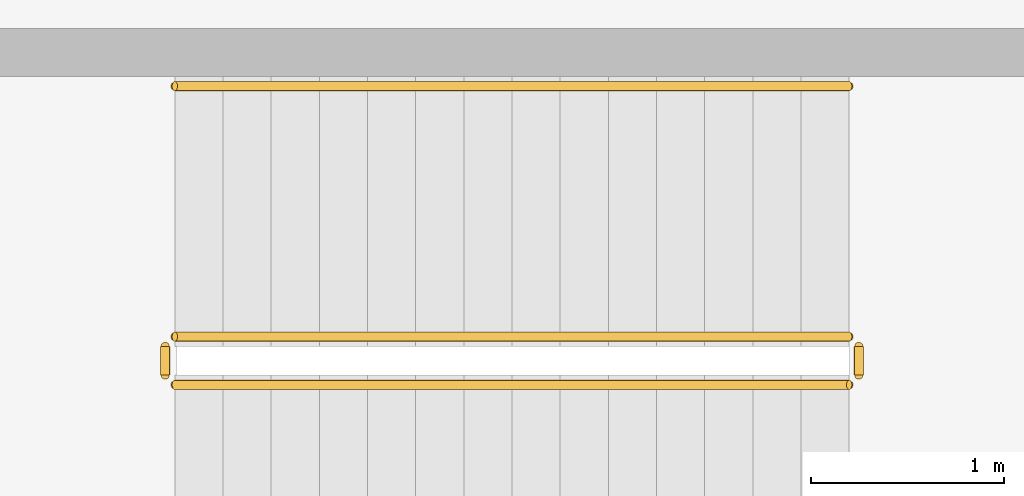
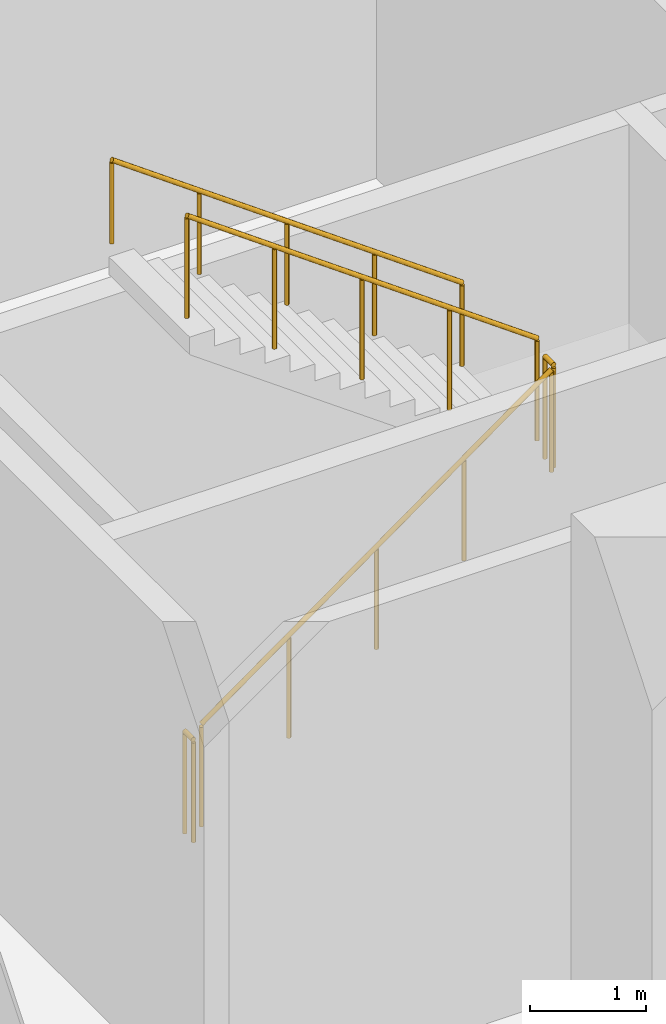
# One storey, part 22 of 22: 5 railings.
"""IFC4 building model written with IfcOpenShell, lengths in metres."""

import ifcopenshell
import ifcopenshell.guid

model = None  # the IFC model being written
_history = None  # IfcOwnerHistory: only IFC2X3 demands one
_inside = {}  # id of a spatial element -> (the spatial element, [elements in it])
_under = {}  # id of a project, library or spatial element -> (it, [spatial elements below it])
_declared = {}  # id of a project -> (the project, [libraries it declares])
_typed = {}  # id of a type object -> (the type object, [elements of that type])
_made_of = {}  # id of a material, layer set ... -> (it, [elements and type objects made of it])


def new_model(schema):
    """Start an empty IFC model of exactly this schema.

    Asked for "IFC4X3", IfcOpenShell would pick the latest addendum, in which some entities
    have other attributes; the version numbers below select the first issue.
    IFC2X3 requires an IfcOwnerHistory on every rooted entity: one is made here for all.
    """
    global model, _history
    if schema == "IFC4X3":
        model = ifcopenshell.file(schema_version=(4, 3, 0, 0))
    else:
        model = ifcopenshell.file(schema=schema)
    _inside.clear()
    _under.clear()
    _declared.clear()
    _typed.clear()
    _made_of.clear()
    _history = None
    if model.schema == "IFC2X3":
        org = make("IfcOrganization", Name="unknown")
        user = make(
            "IfcPersonAndOrganization",
            ThePerson=make("IfcPerson", FamilyName="unknown"),
            TheOrganization=org,
        )
        app = make(
            "IfcApplication",
            ApplicationDeveloper=org,
            Version="unknown",
            ApplicationFullName="unknown",
            ApplicationIdentifier="unknown",
        )
        _history = make(
            "IfcOwnerHistory",
            OwningUser=user,
            OwningApplication=app,
            ChangeAction="ADDED",
            CreationDate=0,
        )
    return model


def make(cls, **values):
    """One entity of the class cls with the attributes given. An attribute that is None is left unset."""
    return model.create_entity(
        cls, **{name: value for name, value in values.items() if value is not None}
    )


def rooted(cls, **values):
    """An entity with a GlobalId (a new one), such as an element, a storey or a relation."""
    return make(cls, GlobalId=ifcopenshell.guid.new(), OwnerHistory=_history, **values)


def si_unit(unit_type, name, prefix=None):
    """IfcSIUnit, for example si_unit("LENGTHUNIT", "METRE", prefix="MILLI")."""
    return make("IfcSIUnit", UnitType=unit_type, Prefix=prefix, Name=name)


def assignment(units):
    """IfcUnitAssignment: the units of a project."""
    return None if units is None else make("IfcUnitAssignment", Units=units)


def point(xyz):
    """IfcCartesianPoint."""
    return None if xyz is None else make("IfcCartesianPoint", Coordinates=xyz)


def direction(xyz):
    """IfcDirection."""
    return None if xyz is None else make("IfcDirection", DirectionRatios=xyz)


def frame(location, z_axis=None, x_axis=None):
    """IfcAxis2Placement3D, a coordinate frame: its origin and axes. An axis left out is left unset."""
    return make(
        "IfcAxis2Placement3D",
        Location=point(location),
        Axis=direction(z_axis),
        RefDirection=direction(x_axis),
    )


def frame_2d(location, x_axis=None):
    """IfcAxis2Placement2D, a coordinate frame in the plane: its origin and x axis."""
    return make(
        "IfcAxis2Placement2D", Location=point(location), RefDirection=direction(x_axis)
    )


def origin():
    """The frame at (0, 0, 0) with its axes left unset."""
    return frame((0.0, 0.0, 0.0))


def origin_2d():
    """The frame at (0, 0) in the plane with its x axis left unset."""
    return frame_2d((0.0, 0.0))


def place(relative_to, where):
    """IfcLocalPlacement: puts the frame where relative to a parent placement (None: the world)."""
    return make(
        "IfcLocalPlacement", PlacementRelTo=relative_to, RelativePlacement=where
    )


def context(
    kind, dimensions, precision=None, world=None, true_north=None, identifier=None
):
    """IfcGeometricRepresentationContext, for example the 3D "Model" context."""
    return make(
        "IfcGeometricRepresentationContext",
        ContextIdentifier=identifier,
        ContextType=kind,
        CoordinateSpaceDimension=dimensions,
        Precision=precision,
        WorldCoordinateSystem=world,
        TrueNorth=true_north,
    )


def subcontext(parent, identifier, kind, view, scale=None):
    """IfcGeometricRepresentationSubContext, for example "Body" below "Model"."""
    return make(
        "IfcGeometricRepresentationSubContext",
        ContextIdentifier=identifier,
        ContextType=kind,
        ParentContext=parent,
        TargetScale=scale,
        TargetView=view,
    )


def project(units=None, contexts=None):
    """IfcProject with its units and contexts."""
    return rooted(
        "IfcProject",
        Name="project",
        RepresentationContexts=contexts,
        UnitsInContext=assignment(units),
    )


def spatial(cls, under=None, at=None, **own):
    """A site, building, storey or space (cls), placed at a placement, below another one or the project."""
    s = rooted(cls, ObjectPlacement=at, **own)
    if under is not None:
        _under.setdefault(under.id(), (under, []))[1].append(s)
    return s


def profile(cls, at=None, kind="AREA", **sizes):
    """A parametric profile (cls). Its sizes go by their IFC names, for example OverallWidth=200.0."""
    return make(cls, ProfileType=kind, Position=at, **sizes)


def circle(**sizes):
    """IfcCircleProfileDef."""
    return profile("IfcCircleProfileDef", **sizes)


def extrude(swept, where, along, depth):
    """IfcExtrudedAreaSolid: the profile swept, set in the frame where, extruded along a direction by depth."""
    return make(
        "IfcExtrudedAreaSolid",
        SweptArea=swept,
        Position=where,
        ExtrudedDirection=direction(along),
        Depth=depth,
    )


def shape(context_of_items, identifier, shape_type, items):
    """IfcShapeRepresentation: the items that make up one representation, for example the "Body"."""
    return make(
        "IfcShapeRepresentation",
        ContextOfItems=context_of_items,
        RepresentationIdentifier=identifier,
        RepresentationType=shape_type,
        Items=items,
    )


def source(mapping_origin, context_of_items, identifier, shape_type, items):
    """IfcRepresentationMap: a shape defined once, which mapped items show again and again."""
    return make(
        "IfcRepresentationMap",
        MappingOrigin=mapping_origin,
        MappedRepresentation=shape(context_of_items, identifier, shape_type, items),
    )


def transform(
    local_origin,
    x_axis=None,
    y_axis=None,
    z_axis=None,
    scale=None,
    scale2=None,
    scale3=None,
    uniform=True,
):
    """IfcCartesianTransformationOperator3D, or its non-uniform kind. x_axis, y_axis, z_axis: its Axis1, 2, 3."""
    if uniform:
        return make(
            "IfcCartesianTransformationOperator3D",
            Axis1=direction(x_axis),
            Axis2=direction(y_axis),
            LocalOrigin=point(local_origin),
            Scale=scale,
            Axis3=direction(z_axis),
        )
    return make(
        "IfcCartesianTransformationOperator3DnonUniform",
        Axis1=direction(x_axis),
        Axis2=direction(y_axis),
        LocalOrigin=point(local_origin),
        Scale=scale,
        Axis3=direction(z_axis),
        Scale2=scale2,
        Scale3=scale3,
    )


def mapped(mapping_source, mapping_target):
    """IfcMappedItem: shows the shape of a source again, moved by a transform."""
    return make(
        "IfcMappedItem", MappingSource=mapping_source, MappingTarget=mapping_target
    )


def material(Name=None, Category=None):
    """IfcMaterial."""
    return make("IfcMaterial", Name=Name, Category=Category)


def made_of(thing, what):
    """Note that an element or type object is made of a material, layer set ...; save() writes the relation."""
    if what is not None:
        _made_of.setdefault(what.id(), (what, []))[1].append(thing)
    return thing


def type_object(cls, material=None, **own):
    """A type object (cls), such as IfcWallType, which elements share."""
    return made_of(rooted(cls, **own), material)


def element(
    cls,
    number,
    at=None,
    inside=None,
    cuts=None,
    type_object=None,
    material=None,
    context=None,
    identifier="Body",
    shape_type=None,
    held_by="IfcProductDefinitionShape",
    body=None,
    shapes=None,
    **own,
):
    """One element of the class cls, such as IfcWall. Its Tag is "e" and its number.

    at: its placement. inside: the storey or other place that contains it. cuts: it is an
    opening in that element (IfcRelVoidsElement). A single representation is given by context,
    identifier, shape_type and body (its items); several are given by shapes. held_by: the class
    of the entity that holds the representations. save() writes the other relations.
    """
    e = rooted(cls, Tag="e%d" % number, ObjectPlacement=at, **own)
    if body is not None:
        shapes = [shape(context, identifier, shape_type, body)]
    if shapes is not None:
        e.Representation = make(held_by, Representations=shapes)
    if inside is not None:
        _inside.setdefault(inside.id(), (inside, []))[1].append(e)
    if cuts is not None:
        rooted(
            "IfcRelVoidsElement", RelatingBuildingElement=cuts, RelatedOpeningElement=e
        )
    if type_object is not None:
        _typed.setdefault(type_object.id(), (type_object, []))[1].append(e)
    return made_of(e, material)


def aggregate(whole, parts):
    """IfcRelAggregates: a whole, such as a stair, and the parts it consists of."""
    return rooted("IfcRelAggregates", RelatingObject=whole, RelatedObjects=parts)


def save(model, path):
    """Write the relations noted so far, then the file.

    IfcRelAggregates (storeys below a building ...), IfcRelContainedInSpatialStructure (elements
    in a storey), IfcRelDefinesByType, IfcRelAssociatesMaterial and IfcRelDeclares: one each for
    every whole, place, type object, material and project.
    """
    for whole, parts in _under.values():
        aggregate(whole, parts)
    for where, things in _inside.values():
        rooted(
            "IfcRelContainedInSpatialStructure",
            RelatedElements=things,
            RelatingStructure=where,
        )
    for kind, things in _typed.values():
        rooted("IfcRelDefinesByType", RelatedObjects=things, RelatingType=kind)
    for what, things in _made_of.values():
        rooted("IfcRelAssociatesMaterial", RelatedObjects=things, RelatingMaterial=what)
    for by, libraries in _declared.values():
        rooted("IfcRelDeclares", RelatingContext=by, RelatedDefinitions=libraries)
    model.write(path)


model = new_model("IFC4")

# Units and contexts
model_context = context("Model", 3, precision=1e-05, world=origin(), true_north=direction((0.0, 1.0)))
body_context = subcontext(model_context, "Body", "Model", "MODEL_VIEW")
ifc_project = project(units=[si_unit("LENGTHUNIT", "METRE"), si_unit("AREAUNIT", "SQUARE_METRE"), si_unit("VOLUMEUNIT", "CUBIC_METRE"), si_unit("PLANEANGLEUNIT", "RADIAN"), si_unit("MASSUNIT", "GRAM", prefix="KILO")], contexts=[model_context])

# Site, building, storey
site_placement = place(None, origin())
site = spatial("IfcSite", under=ifc_project, at=site_placement, CompositionType="ELEMENT")
building_placement = place(site_placement, origin())
building = spatial("IfcBuilding", under=site, at=building_placement, Name="Aurelian Terraces", CompositionType="ELEMENT")
storey_placement = place(building_placement, frame((0.0, 0.0, 7.5)))
storey = spatial("IfcBuildingStorey", under=building, at=storey_placement, Name="L01", CompositionType="ELEMENT", Elevation=7.5)

# Railings
ifc_material = material(Name="Stainless steel", Category="steel")
railing_type_1 = type_object("IfcRailingType", Name="Stair guard 1100", PredefinedType="GUARDRAIL", material=ifc_material)
shared_shape_1 = source(origin(), body_context, "Body", "SweptSolid", [
    extrude(circle(Radius=0.024, at=origin_2d()), frame((0.0, 0.0, 1.076), z_axis=(0.0, 1.0, 0.0), x_axis=(-1.0, 0.0, 0.0)), (0.0, 0.0, 1.0), 0.15),
    extrude(circle(Radius=0.021, at=origin_2d()), origin(), (0.0, 0.0, 1.0), 1.052),
    extrude(circle(Radius=0.021, at=origin_2d()), frame((0.0, 0.15, 0.0)), (0.0, 0.0, 1.0), 1.052),
])
for number, where, name in (
    (1, (5.65, 66.05, 2.7), "L01 S5 stair guard 2"),
    (2, (2.05, 66.05, 0.0), "L01 S5 stair guard 4"),
):
    element("IfcRailing", number, at=place(storey_placement, frame(where)), inside=storey, type_object=railing_type_1, Name=name, PredefinedType="GUARDRAIL", context=body_context, shape_type="MappedRepresentation", body=[
        mapped(shared_shape_1, transform((0.0, 0.0, 0.0), scale=1.0)),
    ])
shared_shape_2 = source(origin(), body_context, "Body", "SweptSolid", [
    extrude(circle(Radius=0.024, at=origin_2d()), frame((0.0, 0.0, 1.076), z_axis=(0.811534341451, 0.0, 0.584304725845), x_axis=(0.0, 1.0, 0.0)), (0.0, 0.0, 1.0), 4.3128),
    extrude(circle(Radius=0.021, at=origin_2d()), origin(), (0.0, 0.0, 1.0), 1.052),
    extrude(circle(Radius=0.021, at=origin_2d()), frame((0.875, 0.0, 0.63)), (0.0, 0.0, 1.0), 1.052),
    extrude(circle(Radius=0.021, at=origin_2d()), frame((1.75, 0.0, 1.26)), (0.0, 0.0, 1.0), 1.052),
    extrude(circle(Radius=0.021, at=origin_2d()), frame((2.625, 0.0, 1.89)), (0.0, 0.0, 1.0), 1.052),
    extrude(circle(Radius=0.021, at=origin_2d()), frame((3.5, 0.0, 2.52)), (0.0, 0.0, 1.0), 1.052),
])
railing_1_placement = place(storey_placement, frame((2.1, 66.0, 0.18)))
element("IfcRailing", 3, at=railing_1_placement, inside=storey, type_object=railing_type_1, Name="L01 S5 stair guard 1", PredefinedType="GUARDRAIL", context=body_context, shape_type="MappedRepresentation", body=[
    mapped(shared_shape_2, transform((0.0, 0.0, 0.0), scale=1.0)),
])
shared_shape_3 = source(origin(), body_context, "Body", "SweptSolid", [
    extrude(circle(Radius=0.024, at=origin_2d()), frame((0.0, 0.0, 1.076), z_axis=(-0.811534341451, 0.0, 0.584304725845), x_axis=(0.0, -1.0, 0.0)), (0.0, 0.0, 1.0), 4.3128),
    extrude(circle(Radius=0.021, at=origin_2d()), origin(), (0.0, 0.0, 1.0), 1.052),
    extrude(circle(Radius=0.021, at=origin_2d()), frame((-0.875, 0.0, 0.63)), (0.0, 0.0, 1.0), 1.052),
    extrude(circle(Radius=0.021, at=origin_2d()), frame((-1.75, 0.0, 1.26)), (0.0, 0.0, 1.0), 1.052),
    extrude(circle(Radius=0.021, at=origin_2d()), frame((-2.625, 0.0, 1.89)), (0.0, 0.0, 1.0), 1.052),
    extrude(circle(Radius=0.021, at=origin_2d()), frame((-3.5, 0.0, 2.52)), (0.0, 0.0, 1.0), 1.052),
])
railing_2_placement = place(storey_placement, frame((5.6, 66.25, 2.88)))
element("IfcRailing", 4, at=railing_2_placement, inside=storey, type_object=railing_type_1, Name="L01 S5 stair guard 3", PredefinedType="GUARDRAIL", context=body_context, shape_type="MappedRepresentation", body=[
    mapped(shared_shape_3, transform((0.0, 0.0, 0.0), scale=1.0)),
])
railing_type_2 = type_object("IfcRailingType", Name="Stair handrail", PredefinedType="HANDRAIL", material=ifc_material)
shared_shape_4 = source(origin(), body_context, "Body", "SweptSolid", [
    extrude(circle(Radius=0.024, at=origin_2d()), frame((0.0, 0.0, 0.876), z_axis=(-0.811534341451, 0.0, 0.584304725845), x_axis=(0.0, -1.0, 0.0)), (0.0, 0.0, 1.0), 4.3128),
    extrude(circle(Radius=0.021, at=origin_2d()), origin(), (0.0, 0.0, 1.0), 0.852),
    extrude(circle(Radius=0.021, at=origin_2d()), frame((-0.875, 0.0, 0.63)), (0.0, 0.0, 1.0), 0.852),
    extrude(circle(Radius=0.021, at=origin_2d()), frame((-1.75, 0.0, 1.26)), (0.0, 0.0, 1.0), 0.852),
    extrude(circle(Radius=0.021, at=origin_2d()), frame((-2.625, 0.0, 1.89)), (0.0, 0.0, 1.0), 0.852),
    extrude(circle(Radius=0.021, at=origin_2d()), frame((-3.5, 0.0, 2.52)), (0.0, 0.0, 1.0), 0.852),
])
railing_3_placement = place(storey_placement, frame((5.6, 67.55, 2.88)))
element("IfcRailing", 5, at=railing_3_placement, inside=storey, type_object=railing_type_2, Name="L01 S5 stair handrail 2", PredefinedType="HANDRAIL", context=body_context, shape_type="MappedRepresentation", body=[
    mapped(shared_shape_4, transform((0.0, 0.0, 0.0), scale=1.0)),
])

save(model, "model.ifc")
